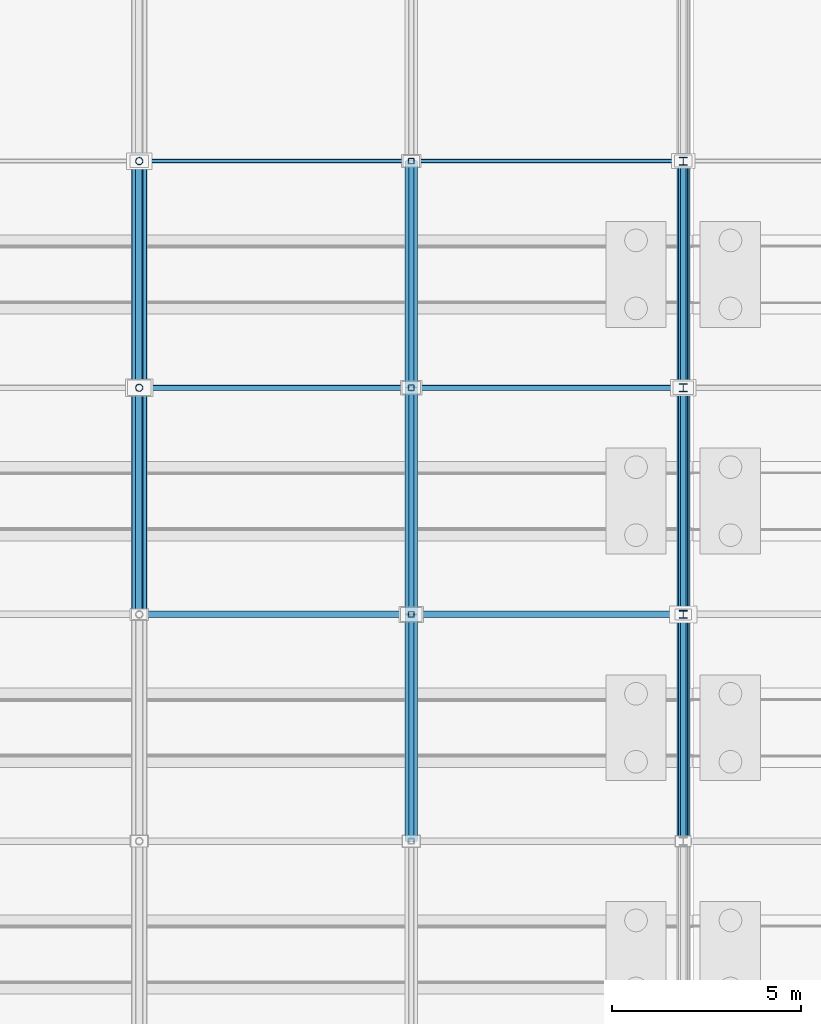
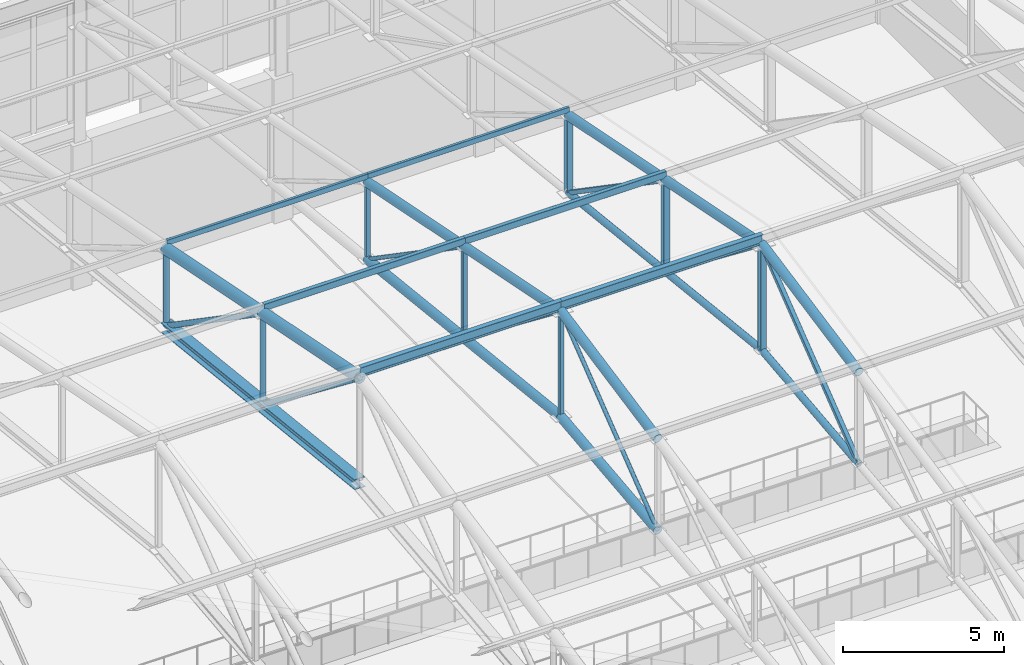
# One storey, part 182 of 293: 38 members.
"""IFC4 building model written with IfcOpenShell, lengths in metres."""

import ifcopenshell
import ifcopenshell.guid

model = None  # the IFC model being written
_history = None  # IfcOwnerHistory: only IFC2X3 demands one
_inside = {}  # id of a spatial element -> (the spatial element, [elements in it])
_under = {}  # id of a project, library or spatial element -> (it, [spatial elements below it])
_declared = {}  # id of a project -> (the project, [libraries it declares])
_typed = {}  # id of a type object -> (the type object, [elements of that type])
_made_of = {}  # id of a material, layer set ... -> (it, [elements and type objects made of it])


def new_model(schema):
    """Start an empty IFC model of exactly this schema.

    Asked for "IFC4X3", IfcOpenShell would pick the latest addendum, in which some entities
    have other attributes; the version numbers below select the first issue.
    IFC2X3 requires an IfcOwnerHistory on every rooted entity: one is made here for all.
    """
    global model, _history
    if schema == "IFC4X3":
        model = ifcopenshell.file(schema_version=(4, 3, 0, 0))
    else:
        model = ifcopenshell.file(schema=schema)
    _inside.clear()
    _under.clear()
    _declared.clear()
    _typed.clear()
    _made_of.clear()
    _history = None
    if model.schema == "IFC2X3":
        org = make("IfcOrganization", Name="unknown")
        user = make(
            "IfcPersonAndOrganization",
            ThePerson=make("IfcPerson", FamilyName="unknown"),
            TheOrganization=org,
        )
        app = make(
            "IfcApplication",
            ApplicationDeveloper=org,
            Version="unknown",
            ApplicationFullName="unknown",
            ApplicationIdentifier="unknown",
        )
        _history = make(
            "IfcOwnerHistory",
            OwningUser=user,
            OwningApplication=app,
            ChangeAction="ADDED",
            CreationDate=0,
        )
    return model


def make(cls, **values):
    """One entity of the class cls with the attributes given. An attribute that is None is left unset."""
    return model.create_entity(
        cls, **{name: value for name, value in values.items() if value is not None}
    )


def rooted(cls, **values):
    """An entity with a GlobalId (a new one), such as an element, a storey or a relation."""
    return make(cls, GlobalId=ifcopenshell.guid.new(), OwnerHistory=_history, **values)


def si_unit(unit_type, name, prefix=None):
    """IfcSIUnit, for example si_unit("LENGTHUNIT", "METRE", prefix="MILLI")."""
    return make("IfcSIUnit", UnitType=unit_type, Prefix=prefix, Name=name)


def assignment(units):
    """IfcUnitAssignment: the units of a project."""
    return None if units is None else make("IfcUnitAssignment", Units=units)


def point(xyz):
    """IfcCartesianPoint."""
    return None if xyz is None else make("IfcCartesianPoint", Coordinates=xyz)


def direction(xyz):
    """IfcDirection."""
    return None if xyz is None else make("IfcDirection", DirectionRatios=xyz)


def frame(location, z_axis=None, x_axis=None):
    """IfcAxis2Placement3D, a coordinate frame: its origin and axes. An axis left out is left unset."""
    return make(
        "IfcAxis2Placement3D",
        Location=point(location),
        Axis=direction(z_axis),
        RefDirection=direction(x_axis),
    )


def frame_2d(location, x_axis=None):
    """IfcAxis2Placement2D, a coordinate frame in the plane: its origin and x axis."""
    return make(
        "IfcAxis2Placement2D", Location=point(location), RefDirection=direction(x_axis)
    )


def origin():
    """The frame at (0, 0, 0) with its axes left unset."""
    return frame((0.0, 0.0, 0.0))


def origin_2d():
    """The frame at (0, 0) in the plane with its x axis left unset."""
    return frame_2d((0.0, 0.0))


def place(relative_to, where):
    """IfcLocalPlacement: puts the frame where relative to a parent placement (None: the world)."""
    return make(
        "IfcLocalPlacement", PlacementRelTo=relative_to, RelativePlacement=where
    )


def context(
    kind, dimensions, precision=None, world=None, true_north=None, identifier=None
):
    """IfcGeometricRepresentationContext, for example the 3D "Model" context."""
    return make(
        "IfcGeometricRepresentationContext",
        ContextIdentifier=identifier,
        ContextType=kind,
        CoordinateSpaceDimension=dimensions,
        Precision=precision,
        WorldCoordinateSystem=world,
        TrueNorth=true_north,
    )


def subcontext(parent, identifier, kind, view, scale=None):
    """IfcGeometricRepresentationSubContext, for example "Body" below "Model"."""
    return make(
        "IfcGeometricRepresentationSubContext",
        ContextIdentifier=identifier,
        ContextType=kind,
        ParentContext=parent,
        TargetScale=scale,
        TargetView=view,
    )


def project(units=None, contexts=None):
    """IfcProject with its units and contexts."""
    return rooted(
        "IfcProject",
        Name="project",
        RepresentationContexts=contexts,
        UnitsInContext=assignment(units),
    )


def spatial(cls, under=None, at=None, **own):
    """A site, building, storey or space (cls), placed at a placement, below another one or the project."""
    s = rooted(cls, ObjectPlacement=at, **own)
    if under is not None:
        _under.setdefault(under.id(), (under, []))[1].append(s)
    return s


def profile(cls, at=None, kind="AREA", **sizes):
    """A parametric profile (cls). Its sizes go by their IFC names, for example OverallWidth=200.0."""
    return make(cls, ProfileType=kind, Position=at, **sizes)


def hollow_rectangle(**sizes):
    """IfcRectangleHollowProfileDef."""
    return profile("IfcRectangleHollowProfileDef", **sizes)


def hollow_circle(**sizes):
    """IfcCircleHollowProfileDef."""
    return profile("IfcCircleHollowProfileDef", **sizes)


def i_section(**sizes):
    """IfcIShapeProfileDef."""
    return profile("IfcIShapeProfileDef", **sizes)


def extrude(swept, where, along, depth):
    """IfcExtrudedAreaSolid: the profile swept, set in the frame where, extruded along a direction by depth."""
    return make(
        "IfcExtrudedAreaSolid",
        SweptArea=swept,
        Position=where,
        ExtrudedDirection=direction(along),
        Depth=depth,
    )


def shape(context_of_items, identifier, shape_type, items):
    """IfcShapeRepresentation: the items that make up one representation, for example the "Body"."""
    return make(
        "IfcShapeRepresentation",
        ContextOfItems=context_of_items,
        RepresentationIdentifier=identifier,
        RepresentationType=shape_type,
        Items=items,
    )


def material(Name=None, Category=None):
    """IfcMaterial."""
    return make("IfcMaterial", Name=Name, Category=Category)


def material_profile(
    of_material, cross_section, Name=None, Category=None, Priority=None
):
    """IfcMaterialProfile: a cross section and its material."""
    return make(
        "IfcMaterialProfile",
        Name=Name,
        Material=of_material,
        Profile=cross_section,
        Priority=Priority,
        Category=Category,
    )


def profile_set(profiles, Name=None, composite=None):
    """IfcMaterialProfileSet."""
    return make(
        "IfcMaterialProfileSet",
        Name=Name,
        MaterialProfiles=profiles,
        CompositeProfile=composite,
    )


def made_of(thing, what):
    """Note that an element or type object is made of a material, layer set ...; save() writes the relation."""
    if what is not None:
        _made_of.setdefault(what.id(), (what, []))[1].append(thing)
    return thing


def type_object(cls, material=None, **own):
    """A type object (cls), such as IfcWallType, which elements share."""
    return made_of(rooted(cls, **own), material)


def element(
    cls,
    number,
    at=None,
    inside=None,
    cuts=None,
    type_object=None,
    material=None,
    context=None,
    identifier="Body",
    shape_type=None,
    held_by="IfcProductDefinitionShape",
    body=None,
    shapes=None,
    **own,
):
    """One element of the class cls, such as IfcWall. Its Tag is "e" and its number.

    at: its placement. inside: the storey or other place that contains it. cuts: it is an
    opening in that element (IfcRelVoidsElement). A single representation is given by context,
    identifier, shape_type and body (its items); several are given by shapes. held_by: the class
    of the entity that holds the representations. save() writes the other relations.
    """
    e = rooted(cls, Tag="e%d" % number, ObjectPlacement=at, **own)
    if body is not None:
        shapes = [shape(context, identifier, shape_type, body)]
    if shapes is not None:
        e.Representation = make(held_by, Representations=shapes)
    if inside is not None:
        _inside.setdefault(inside.id(), (inside, []))[1].append(e)
    if cuts is not None:
        rooted(
            "IfcRelVoidsElement", RelatingBuildingElement=cuts, RelatedOpeningElement=e
        )
    if type_object is not None:
        _typed.setdefault(type_object.id(), (type_object, []))[1].append(e)
    return made_of(e, material)


def aggregate(whole, parts):
    """IfcRelAggregates: a whole, such as a stair, and the parts it consists of."""
    return rooted("IfcRelAggregates", RelatingObject=whole, RelatedObjects=parts)


def save(model, path):
    """Write the relations noted so far, then the file.

    IfcRelAggregates (storeys below a building ...), IfcRelContainedInSpatialStructure (elements
    in a storey), IfcRelDefinesByType, IfcRelAssociatesMaterial and IfcRelDeclares: one each for
    every whole, place, type object, material and project.
    """
    for whole, parts in _under.values():
        aggregate(whole, parts)
    for where, things in _inside.values():
        rooted(
            "IfcRelContainedInSpatialStructure",
            RelatedElements=things,
            RelatingStructure=where,
        )
    for kind, things in _typed.values():
        rooted("IfcRelDefinesByType", RelatedObjects=things, RelatingType=kind)
    for what, things in _made_of.values():
        rooted("IfcRelAssociatesMaterial", RelatedObjects=things, RelatingMaterial=what)
    for by, libraries in _declared.values():
        rooted("IfcRelDeclares", RelatingContext=by, RelatedDefinitions=libraries)
    model.write(path)


model = new_model("IFC4")

# Units and contexts
model_context = context("Model", 3, precision=1e-05, world=origin(), true_north=direction((0.0, 1.0)))
body_context = subcontext(model_context, "Body", "Model", "MODEL_VIEW")
ifc_project = project(units=[si_unit("LENGTHUNIT", "METRE"), si_unit("AREAUNIT", "SQUARE_METRE"), si_unit("VOLUMEUNIT", "CUBIC_METRE"), si_unit("PLANEANGLEUNIT", "RADIAN"), si_unit("MASSUNIT", "GRAM", prefix="KILO")], contexts=[model_context])

# Site, building, storey
site_placement = place(None, origin())
site = spatial("IfcSite", under=ifc_project, at=site_placement, CompositionType="ELEMENT")
building_placement = place(site_placement, origin())
building = spatial("IfcBuilding", under=site, at=building_placement, Name="Kemerveld Promenade Tramway Depot", CompositionType="ELEMENT")
storey_placement = place(building_placement, origin())
storey = spatial("IfcBuildingStorey", under=building, at=storey_placement, Name="L00", CompositionType="ELEMENT", Elevation=0.0)

# Members
ifc_material = material(Name="Steel S355", Category="steel")
ifc_material_profile_1 = material_profile(ifc_material, i_section(OverallWidth=0.172119140625, OverallDepth=0.35791015625, WebThickness=0.008056640625, FlangeThickness=0.012939453125, FilletRadius=0.01025390625, at=origin_2d()), Name="356x171x57 UB")
ifc_profile_set_1 = profile_set([ifc_material_profile_1], Name="Steel S355")
member_type_1 = type_object("IfcMemberType", Name="MB-M07", PredefinedType="PURLIN", material=ifc_profile_set_1)
for number, where, z_axis, x_axis, name in (
    (1, (144.0, 114.0, 17.344970703125), (1.0, 0.0, 0.0), (0.0, 1.0, 0.0), "PUR-V1-05-21"),
    (2, (151.199951171875, 114.0, 17.344970703125), (1.0, 0.0, 0.0), (0.0, 1.0, 0.0), "PUR-V1-05-22"),
):
    element("IfcMember", number, at=place(storey_placement, frame(where, z_axis=z_axis, x_axis=x_axis)), inside=storey, type_object=member_type_1, Name=name, PredefinedType="PURLIN", context=body_context, shape_type="SweptSolid", body=[
        extrude(i_section(OverallWidth=0.172119140625, OverallDepth=0.35791015625, WebThickness=0.008056640625, FlangeThickness=0.012939453125, FilletRadius=0.01025390625, at=origin_2d()), origin(), (0.0, 0.0, 1.0), 7.199951171875),
    ])
ifc_material_profile_2 = material_profile(ifc_material, i_section(OverallWidth=0.37255859375, OverallDepth=0.3681640625, WebThickness=0.014404296875, FlangeThickness=0.023681640625, FilletRadius=0.01513671875, at=origin_2d()), Name="356x368x177 UC")
ifc_profile_set_2 = profile_set([ifc_material_profile_2], Name="Steel S355")
member_type_2 = type_object("IfcMemberType", Name="MB-M08", PredefinedType="CHORD", material=ifc_profile_set_2)
for number, where, z_axis, x_axis, name in (
    (3, (144.0, 114.0, 13.10009765625), (0.0, 0.994001542248, -0.109366055104), (-1.0, 0.0, 0.0), "TR-21-BC-06"),
    (4, (144.0, 120.0, 12.43994140625), (0.0, 0.994005938353, -0.109326092585), (-1.0, 0.0, 0.0), "TR-21-BC-07"),
):
    element("IfcMember", number, at=place(storey_placement, frame(where, z_axis=z_axis, x_axis=x_axis)), inside=storey, type_object=member_type_2, Name=name, PredefinedType="CHORD", context=body_context, shape_type="SweptSolid", body=[
        extrude(i_section(OverallWidth=0.37255859375, OverallDepth=0.3681640625, WebThickness=0.014404296875, FlangeThickness=0.023681640625, FilletRadius=0.01513671875, at=origin_2d()), origin(), (0.0, 0.0, 1.0), 6.0361328125),
    ])
ifc_material_profile_3 = material_profile(ifc_material, hollow_rectangle(XDim=0.14990234375, YDim=0.25, WallThickness=0.010009765625, InnerFilletRadius=0.0048828125, OuterFilletRadius=0.014892578125, at=origin_2d()), Name="250x150x10.0 RHS")
ifc_profile_set_3 = profile_set([ifc_material_profile_3], Name="Steel S355")
member_type_3 = type_object("IfcMemberType", Name="MB-PR1", PredefinedType="PURLIN", material=ifc_profile_set_3)
for number, where, z_axis, x_axis, name in (
    (5, (144.0, 120.0, 16.14501953125), (1.0, 0.0, 0.0), (0.0, 1.0, 0.0), "PUR-V1-06-21"),
    (6, (151.199951171875, 120.0, 16.14501953125), (1.0, 0.0, 0.0), (0.0, 1.0, 0.0), "PUR-V1-06-22"),
):
    element("IfcMember", number, at=place(storey_placement, frame(where, z_axis=z_axis, x_axis=x_axis)), inside=storey, type_object=member_type_3, Name=name, PredefinedType="PURLIN", context=body_context, shape_type="SweptSolid", body=[
        extrude(hollow_rectangle(XDim=0.14990234375, YDim=0.25, WallThickness=0.010009765625, InnerFilletRadius=0.0048828125, OuterFilletRadius=0.014892578125, at=origin_2d()), origin(), (0.0, 0.0, 1.0), 7.199951171875),
    ])
ifc_material_profile_4 = material_profile(ifc_material, hollow_rectangle(XDim=0.10009765625, YDim=0.199951171875, WallThickness=0.008056640625, InnerFilletRadius=0.00390625, OuterFilletRadius=0.011962890625, at=origin_2d()), Name="200x100x8.0 RHS")
ifc_profile_set_4 = profile_set([ifc_material_profile_4], Name="Steel S355")
member_type_4 = type_object("IfcMemberType", Name="MB-PR2", PredefinedType="PURLIN", material=ifc_profile_set_4)
for number, where, z_axis, x_axis, name in (
    (7, (144.0, 126.0, 14.945068359375), (1.0, 0.0, 0.0), (0.0, 1.0, 0.0), "PUR-V1-07-21"),
    (8, (151.199951171875, 126.0, 14.945068359375), (1.0, 0.0, 0.0), (0.0, 1.0, 0.0), "PUR-V1-07-22"),
):
    element("IfcMember", number, at=place(storey_placement, frame(where, z_axis=z_axis, x_axis=x_axis)), inside=storey, type_object=member_type_4, Name=name, PredefinedType="PURLIN", context=body_context, shape_type="SweptSolid", body=[
        extrude(hollow_rectangle(XDim=0.10009765625, YDim=0.199951171875, WallThickness=0.008056640625, InnerFilletRadius=0.00390625, OuterFilletRadius=0.011962890625, at=origin_2d()), origin(), (0.0, 0.0, 1.0), 7.199951171875),
    ])
ifc_material_profile_5 = material_profile(ifc_material, hollow_circle(Radius=0.096923828125, WallThickness=0.008056640625, at=origin_2d()), Name="193.7x8.0 CHS")
ifc_profile_set_5 = profile_set([ifc_material_profile_5], Name="Steel S355")
member_type_5 = type_object("IfcMemberType", Name="MB-TB2", PredefinedType="BRACE", material=ifc_profile_set_5)
member_1_placement = place(storey_placement, frame((144.0, 120.0, 12.43994140625), z_axis=(0.0, -0.789767329101, 0.613406525793), x_axis=(1.0, 0.0, 0.0)))
element("IfcMember", 9, at=member_1_placement, inside=storey, type_object=member_type_5, Name="TR-21-DG-06", PredefinedType="BRACE", context=body_context, shape_type="SweptSolid", body=[
    extrude(hollow_circle(Radius=0.096923828125, WallThickness=0.008056640625, at=origin_2d()), origin(), (0.0, 0.0, 1.0), 7.59716796875),
])
member_2_placement = place(storey_placement, frame((144.0, 126.0, 11.780029296875), z_axis=(0.0, -0.824370638462, 0.566050395673), x_axis=(1.0, 0.0, 0.0)))
element("IfcMember", 10, at=member_2_placement, inside=storey, type_object=member_type_5, Name="TR-21-DG-07", PredefinedType="BRACE", context=body_context, shape_type="SweptSolid", body=[
    extrude(hollow_circle(Radius=0.096923828125, WallThickness=0.008056640625, at=origin_2d()), origin(), (0.0, 0.0, 1.0), 7.2783203125),
])
ifc_material_profile_6 = material_profile(ifc_material, hollow_circle(Radius=0.06982421875, WallThickness=0.00634765625, at=origin_2d()), Name="139.7x6.3 CHS")
ifc_profile_set_6 = profile_set([ifc_material_profile_6], Name="Steel S355")
member_type_6 = type_object("IfcMemberType", Name="MB-TB3", PredefinedType="BRACE", material=ifc_profile_set_6)
for number, where, z_axis, x_axis, name in (
    (11, (151.199951171875, 108.0, 12.43994140625), (0.0, 0.789767329101, 0.613406525793), (-1.0, 0.0, 0.0), "TR-22-DG-05"),
    (12, (151.199951171875, 120.0, 12.43994140625), (0.0, -0.789767329101, 0.613406525793), (1.0, 0.0, 0.0), "TR-22-DG-06"),
):
    element("IfcMember", number, at=place(storey_placement, frame(where, z_axis=z_axis, x_axis=x_axis)), inside=storey, type_object=member_type_6, Name=name, PredefinedType="BRACE", context=body_context, shape_type="SweptSolid", body=[
        extrude(hollow_circle(Radius=0.06982421875, WallThickness=0.00634765625, at=origin_2d()), origin(), (0.0, 0.0, 1.0), 7.59716796875),
    ])
member_3_placement = place(storey_placement, frame((151.199951171875, 126.0, 11.780029296875), z_axis=(0.0, -0.824370638462, 0.566050395673), x_axis=(1.0, 0.0, 0.0)))
element("IfcMember", 13, at=member_3_placement, inside=storey, type_object=member_type_6, Name="TR-22-DG-07", PredefinedType="BRACE", context=body_context, shape_type="SweptSolid", body=[
    extrude(hollow_circle(Radius=0.06982421875, WallThickness=0.00634765625, at=origin_2d()), origin(), (0.0, 0.0, 1.0), 7.2783203125),
])
ifc_material_profile_7 = material_profile(ifc_material, hollow_rectangle(XDim=0.14990234375, YDim=0.14990234375, WallThickness=0.008056640625, InnerFilletRadius=0.00390625, OuterFilletRadius=0.011962890625, at=origin_2d()), Name="150x150x8.0 SHS")
ifc_profile_set_7 = profile_set([ifc_material_profile_7], Name="Steel S355")
member_type_7 = type_object("IfcMemberType", Name="MB-TB4", PredefinedType="BRACE", material=ifc_profile_set_7)
for number, where, z_axis, x_axis, name in (
    (14, (158.39990234375, 108.0, 12.43994140625), (0.0, 0.789767329101, 0.613406525793), (-1.0, 0.0, 0.0), "TR-23-DG-05"),
    (15, (158.39990234375, 120.0, 12.43994140625), (0.0, -0.789767329101, 0.613406525793), (1.0, 0.0, 0.0), "TR-23-DG-06"),
):
    element("IfcMember", number, at=place(storey_placement, frame(where, z_axis=z_axis, x_axis=x_axis)), inside=storey, type_object=member_type_7, Name=name, PredefinedType="BRACE", context=body_context, shape_type="SweptSolid", body=[
        extrude(hollow_rectangle(XDim=0.14990234375, YDim=0.14990234375, WallThickness=0.008056640625, InnerFilletRadius=0.00390625, OuterFilletRadius=0.011962890625, at=origin_2d()), origin(), (0.0, 0.0, 1.0), 7.59716796875),
    ])
member_4_placement = place(storey_placement, frame((158.39990234375, 126.0, 11.780029296875), z_axis=(0.0, -0.824370638462, 0.566050395673), x_axis=(1.0, 0.0, 0.0)))
element("IfcMember", 16, at=member_4_placement, inside=storey, type_object=member_type_7, Name="TR-23-DG-07", PredefinedType="BRACE", context=body_context, shape_type="SweptSolid", body=[
    extrude(hollow_rectangle(XDim=0.14990234375, YDim=0.14990234375, WallThickness=0.008056640625, InnerFilletRadius=0.00390625, OuterFilletRadius=0.011962890625, at=origin_2d()), origin(), (0.0, 0.0, 1.0), 7.2783203125),
])
ifc_material_profile_8 = material_profile(ifc_material, hollow_circle(Radius=0.203125, WallThickness=0.01611328125, at=origin_2d()), Name="406.4x16.0 CHS")
ifc_profile_set_8 = profile_set([ifc_material_profile_8], Name="Steel S355")
member_type_8 = type_object("IfcMemberType", Name="MB-TC1", PredefinedType="CHORD", material=ifc_profile_set_8)
for number, where, z_axis, x_axis, name in (
    (17, (144.0, 114.0, 17.10009765625), (0.0, 0.980574536798, -0.196146827104), (-1.0, 0.0, 0.0), "TR-21-TC-06"),
    (18, (144.0, 120.0, 15.89990234375), (0.0, 0.980582210276, -0.196108462057), (-1.0, 0.0, 0.0), "TR-21-TC-07"),
):
    element("IfcMember", number, at=place(storey_placement, frame(where, z_axis=z_axis, x_axis=x_axis)), inside=storey, type_object=member_type_8, Name=name, PredefinedType="CHORD", context=body_context, shape_type="SweptSolid", body=[
        extrude(hollow_circle(Radius=0.203125, WallThickness=0.01611328125, at=origin_2d()), origin(), (0.0, 0.0, 1.0), 6.118896484375),
    ])
ifc_material_profile_9 = material_profile(ifc_material, hollow_circle(Radius=0.161865234375, WallThickness=0.012451171875, at=origin_2d()), Name="323.9x12.5 CHS")
ifc_profile_set_9 = profile_set([ifc_material_profile_9], Name="Steel S355")
member_type_9 = type_object("IfcMemberType", Name="MB-TC2", PredefinedType="CHORD", material=ifc_profile_set_9)
member_5_placement = place(storey_placement, frame((151.199951171875, 108.0, 15.89990234375), z_axis=(0.0, 0.980574536798, 0.196146827104), x_axis=(-1.0, 0.0, 0.0)))
element("IfcMember", 19, at=member_5_placement, inside=storey, type_object=member_type_9, Name="TR-22-TC-05", PredefinedType="CHORD", context=body_context, shape_type="SweptSolid", body=[
    extrude(hollow_circle(Radius=0.161865234375, WallThickness=0.012451171875, at=origin_2d()), origin(), (0.0, 0.0, 1.0), 6.118896484375),
])
member_6_placement = place(storey_placement, frame((151.199951171875, 108.0, 12.43994140625), z_axis=(0.0, 0.994001542248, 0.109366055104), x_axis=(-1.0, 0.0, 0.0)))
element("IfcMember", 20, at=member_6_placement, inside=storey, type_object=member_type_9, Name="TR-22-BC-05", PredefinedType="CHORD", context=body_context, shape_type="SweptSolid", body=[
    extrude(hollow_circle(Radius=0.161865234375, WallThickness=0.012451171875, at=origin_2d()), origin(), (0.0, 0.0, 1.0), 6.0361328125),
])
member_7_placement = place(storey_placement, frame((151.199951171875, 114.0, 17.10009765625), z_axis=(0.0, 0.980574536798, -0.196146827104), x_axis=(-1.0, 0.0, 0.0)))
element("IfcMember", 21, at=member_7_placement, inside=storey, type_object=member_type_9, Name="TR-22-TC-06", PredefinedType="CHORD", context=body_context, shape_type="SweptSolid", body=[
    extrude(hollow_circle(Radius=0.161865234375, WallThickness=0.012451171875, at=origin_2d()), origin(), (0.0, 0.0, 1.0), 6.118896484375),
])
member_8_placement = place(storey_placement, frame((151.199951171875, 114.0, 13.10009765625), z_axis=(0.0, 0.994001542248, -0.109366055104), x_axis=(-1.0, 0.0, 0.0)))
element("IfcMember", 22, at=member_8_placement, inside=storey, type_object=member_type_9, Name="TR-22-BC-06", PredefinedType="CHORD", context=body_context, shape_type="SweptSolid", body=[
    extrude(hollow_circle(Radius=0.161865234375, WallThickness=0.012451171875, at=origin_2d()), origin(), (0.0, 0.0, 1.0), 6.0361328125),
])
member_9_placement = place(storey_placement, frame((151.199951171875, 120.0, 15.89990234375), z_axis=(0.0, 0.980582210276, -0.196108462057), x_axis=(-1.0, 0.0, 0.0)))
element("IfcMember", 23, at=member_9_placement, inside=storey, type_object=member_type_9, Name="TR-22-TC-07", PredefinedType="CHORD", context=body_context, shape_type="SweptSolid", body=[
    extrude(hollow_circle(Radius=0.161865234375, WallThickness=0.012451171875, at=origin_2d()), origin(), (0.0, 0.0, 1.0), 6.118896484375),
])
member_10_placement = place(storey_placement, frame((151.199951171875, 120.0, 12.43994140625), z_axis=(0.0, 0.994005938353, -0.109326092585), x_axis=(-1.0, 0.0, 0.0)))
element("IfcMember", 24, at=member_10_placement, inside=storey, type_object=member_type_9, Name="TR-22-BC-07", PredefinedType="CHORD", context=body_context, shape_type="SweptSolid", body=[
    extrude(hollow_circle(Radius=0.161865234375, WallThickness=0.012451171875, at=origin_2d()), origin(), (0.0, 0.0, 1.0), 6.0361328125),
])
for number, where, z_axis, x_axis, name in (
    (25, (158.39990234375, 108.0, 15.89990234375), (0.0, 0.980574536798, 0.196146827104), (-1.0, 0.0, 0.0), "TR-23-TC-05"),
    (26, (158.39990234375, 114.0, 17.10009765625), (0.0, 0.980574536798, -0.196146827104), (-1.0, 0.0, 0.0), "TR-23-TC-06"),
    (27, (158.39990234375, 120.0, 15.89990234375), (0.0, 0.980582210276, -0.196108462057), (-1.0, 0.0, 0.0), "TR-23-TC-07"),
):
    element("IfcMember", number, at=place(storey_placement, frame(where, z_axis=z_axis, x_axis=x_axis)), inside=storey, type_object=member_type_9, Name=name, PredefinedType="CHORD", context=body_context, shape_type="SweptSolid", body=[
        extrude(hollow_circle(Radius=0.161865234375, WallThickness=0.012451171875, at=origin_2d()), origin(), (0.0, 0.0, 1.0), 6.118896484375),
    ])
ifc_material_profile_10 = material_profile(ifc_material, hollow_circle(Radius=0.122314453125, WallThickness=0.010009765625, at=origin_2d()), Name="244.5x10.0 CHS")
ifc_profile_set_10 = profile_set([ifc_material_profile_10], Name="Steel S355")
member_type_10 = type_object("IfcMemberType", Name="MB-TC3", PredefinedType="CHORD", material=ifc_profile_set_10)
for number, where, z_axis, x_axis, name in (
    (28, (158.39990234375, 108.0, 12.43994140625), (0.0, 0.994001542248, 0.109366055104), (-1.0, 0.0, 0.0), "TR-23-BC-05"),
    (29, (158.39990234375, 114.0, 13.10009765625), (0.0, 0.994001542248, -0.109366055104), (-1.0, 0.0, 0.0), "TR-23-BC-06"),
    (30, (158.39990234375, 120.0, 12.43994140625), (0.0, 0.994005938353, -0.109326092585), (-1.0, 0.0, 0.0), "TR-23-BC-07"),
):
    element("IfcMember", number, at=place(storey_placement, frame(where, z_axis=z_axis, x_axis=x_axis)), inside=storey, type_object=member_type_10, Name=name, PredefinedType="CHORD", context=body_context, shape_type="SweptSolid", body=[
        extrude(hollow_circle(Radius=0.122314453125, WallThickness=0.010009765625, at=origin_2d()), origin(), (0.0, 0.0, 1.0), 6.0361328125),
    ])
ifc_material_profile_11 = material_profile(ifc_material, hollow_circle(Radius=0.096923828125, WallThickness=0.008056640625, at=origin_2d()), Name="193.7x8.0 CHS")
ifc_profile_set_11 = profile_set([ifc_material_profile_11], Name="Steel S355")
member_type_11 = type_object("IfcMemberType", Name="MB-TP1", PredefinedType="POST", material=ifc_profile_set_11)
member_11_placement = place(storey_placement, frame((144.0, 120.0, 12.43994140625), z_axis=(0.0, 0.0, 1.0), x_axis=(1.0, 0.0, 0.0)))
element("IfcMember", 31, at=member_11_placement, inside=storey, type_object=member_type_11, Name="TR-21-VT-06", PredefinedType="POST", context=body_context, shape_type="SweptSolid", body=[
    extrude(hollow_circle(Radius=0.096923828125, WallThickness=0.008056640625, at=origin_2d()), origin(), (0.0, 0.0, 1.0), 3.4599609375),
])
member_12_placement = place(storey_placement, frame((144.0, 126.0, 11.780029296875), z_axis=(0.0, 0.0, 1.0), x_axis=(1.0, 0.0, 0.0)))
element("IfcMember", 32, at=member_12_placement, inside=storey, type_object=member_type_11, Name="TR-21-VT-07", PredefinedType="POST", context=body_context, shape_type="SweptSolid", body=[
    extrude(hollow_circle(Radius=0.096923828125, WallThickness=0.008056640625, at=origin_2d()), origin(), (0.0, 0.0, 1.0), 2.919921875),
])
ifc_material_profile_12 = material_profile(ifc_material, hollow_rectangle(XDim=0.14990234375, YDim=0.14990234375, WallThickness=0.008056640625, InnerFilletRadius=0.00390625, OuterFilletRadius=0.011962890625, at=origin_2d()), Name="150x150x8.0 SHS")
ifc_profile_set_12 = profile_set([ifc_material_profile_12], Name="Steel S355")
member_type_12 = type_object("IfcMemberType", Name="MB-TP2", PredefinedType="POST", material=ifc_profile_set_12)
member_13_placement = place(storey_placement, frame((151.199951171875, 114.0, 13.10009765625), z_axis=(0.0, 0.0, 1.0), x_axis=(1.0, 0.0, 0.0)))
element("IfcMember", 33, at=member_13_placement, inside=storey, type_object=member_type_12, Name="TR-22-VT-05", PredefinedType="POST", context=body_context, shape_type="SweptSolid", body=[
    extrude(hollow_rectangle(XDim=0.14990234375, YDim=0.14990234375, WallThickness=0.008056640625, InnerFilletRadius=0.00390625, OuterFilletRadius=0.011962890625, at=origin_2d()), origin(), (0.0, 0.0, 1.0), 4.0),
])
member_14_placement = place(storey_placement, frame((151.199951171875, 120.0, 12.43994140625), z_axis=(0.0, 0.0, 1.0), x_axis=(1.0, 0.0, 0.0)))
element("IfcMember", 34, at=member_14_placement, inside=storey, type_object=member_type_12, Name="TR-22-VT-06", PredefinedType="POST", context=body_context, shape_type="SweptSolid", body=[
    extrude(hollow_rectangle(XDim=0.14990234375, YDim=0.14990234375, WallThickness=0.008056640625, InnerFilletRadius=0.00390625, OuterFilletRadius=0.011962890625, at=origin_2d()), origin(), (0.0, 0.0, 1.0), 3.4599609375),
])
member_15_placement = place(storey_placement, frame((151.199951171875, 126.0, 11.780029296875), z_axis=(0.0, 0.0, 1.0), x_axis=(1.0, 0.0, 0.0)))
element("IfcMember", 35, at=member_15_placement, inside=storey, type_object=member_type_12, Name="TR-22-VT-07", PredefinedType="POST", context=body_context, shape_type="SweptSolid", body=[
    extrude(hollow_rectangle(XDim=0.14990234375, YDim=0.14990234375, WallThickness=0.008056640625, InnerFilletRadius=0.00390625, OuterFilletRadius=0.011962890625, at=origin_2d()), origin(), (0.0, 0.0, 1.0), 2.919921875),
])
ifc_material_profile_13 = material_profile(ifc_material, i_section(OverallWidth=0.205810546875, OverallDepth=0.209716796875, WebThickness=0.009521484375, FlangeThickness=0.01416015625, FilletRadius=0.01025390625, at=origin_2d()), Name="203x203x60 UC")
ifc_profile_set_13 = profile_set([ifc_material_profile_13], Name="Steel S355")
member_type_13 = type_object("IfcMemberType", Name="MB-TP3", PredefinedType="POST", material=ifc_profile_set_13)
member_16_placement = place(storey_placement, frame((158.39990234375, 114.0, 13.10009765625), z_axis=(0.0, 0.0, 1.0), x_axis=(1.0, 0.0, 0.0)))
element("IfcMember", 36, at=member_16_placement, inside=storey, type_object=member_type_13, Name="TR-23-VT-05", PredefinedType="POST", context=body_context, shape_type="SweptSolid", body=[
    extrude(i_section(OverallWidth=0.205810546875, OverallDepth=0.209716796875, WebThickness=0.009521484375, FlangeThickness=0.01416015625, FilletRadius=0.01025390625, at=origin_2d()), origin(), (0.0, 0.0, 1.0), 4.0),
])
member_17_placement = place(storey_placement, frame((158.39990234375, 120.0, 12.43994140625), z_axis=(0.0, 0.0, 1.0), x_axis=(1.0, 0.0, 0.0)))
element("IfcMember", 37, at=member_17_placement, inside=storey, type_object=member_type_13, Name="TR-23-VT-06", PredefinedType="POST", context=body_context, shape_type="SweptSolid", body=[
    extrude(i_section(OverallWidth=0.205810546875, OverallDepth=0.209716796875, WebThickness=0.009521484375, FlangeThickness=0.01416015625, FilletRadius=0.01025390625, at=origin_2d()), origin(), (0.0, 0.0, 1.0), 3.4599609375),
])
member_18_placement = place(storey_placement, frame((158.39990234375, 126.0, 11.780029296875), z_axis=(0.0, 0.0, 1.0), x_axis=(1.0, 0.0, 0.0)))
element("IfcMember", 38, at=member_18_placement, inside=storey, type_object=member_type_13, Name="TR-23-VT-07", PredefinedType="POST", context=body_context, shape_type="SweptSolid", body=[
    extrude(i_section(OverallWidth=0.205810546875, OverallDepth=0.209716796875, WebThickness=0.009521484375, FlangeThickness=0.01416015625, FilletRadius=0.01025390625, at=origin_2d()), origin(), (0.0, 0.0, 1.0), 2.919921875),
])

save(model, "model.ifc")
